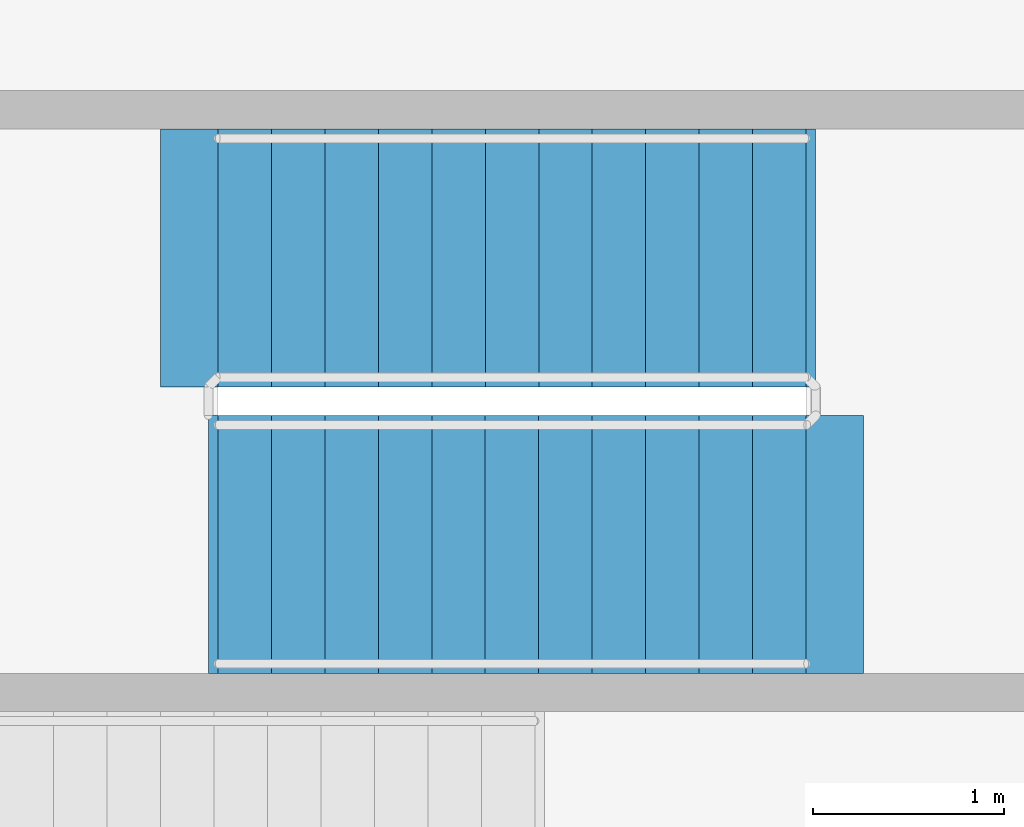
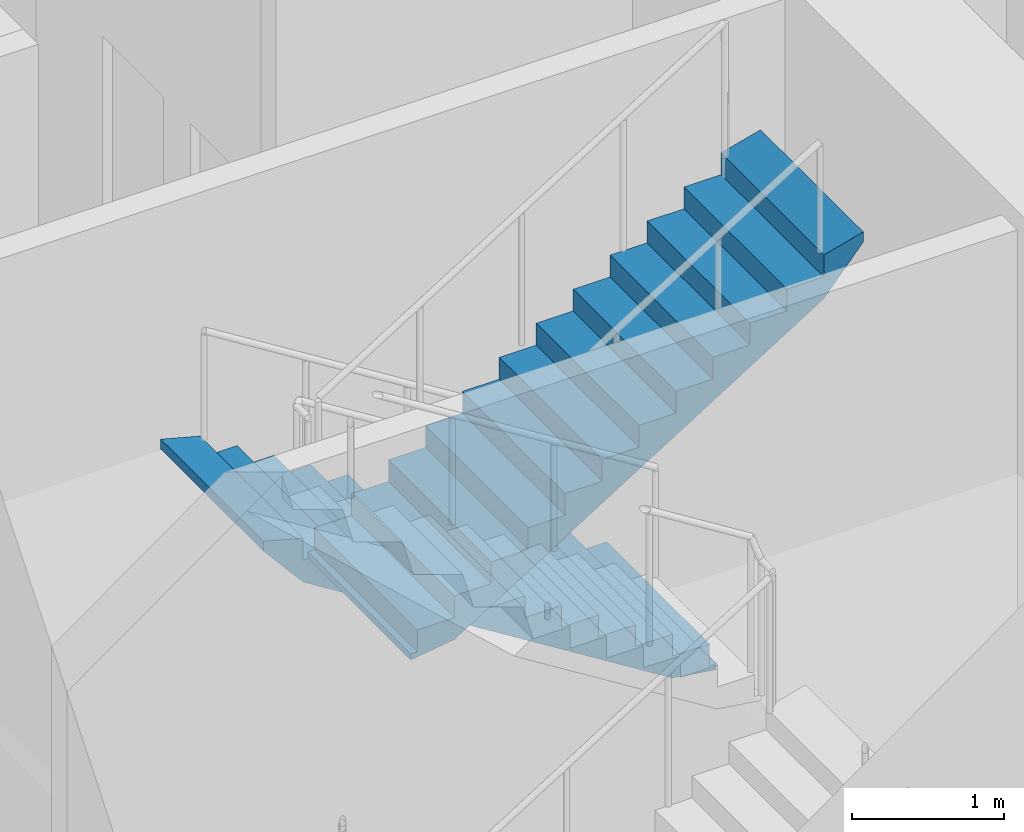
# One storey, part 19 of 23: 2 stair flights, 1 element without a shape of its own.
"""IFC4 building model written with IfcOpenShell, lengths in metres."""

from ifc_helpers import new_model, si_unit, direction, frame, origin, place, context, subcontext, project, spatial, polyline, outline, extrude, material, type_object, element, aggregate, save


model = new_model("IFC4")

# Units and contexts
model_context = context("Model", 3, precision=1e-05, world=origin(), true_north=direction((0.0, 1.0)))
body_context = subcontext(model_context, "Body", "Model", "MODEL_VIEW")
ifc_project = project(units=[si_unit("LENGTHUNIT", "METRE"), si_unit("AREAUNIT", "SQUARE_METRE"), si_unit("VOLUMEUNIT", "CUBIC_METRE"), si_unit("PLANEANGLEUNIT", "RADIAN"), si_unit("MASSUNIT", "GRAM", prefix="KILO")], contexts=[model_context])

# Site, building, storey
site_placement = place(None, origin())
site = spatial("IfcSite", under=ifc_project, at=site_placement, CompositionType="ELEMENT")
building_placement = place(site_placement, origin())
building = spatial("IfcBuilding", under=site, at=building_placement, Name="Zarbagh Exchange Tower", CompositionType="ELEMENT")
storey_placement = place(building_placement, frame((0.0, 0.0, 43.800048828125)))
storey = spatial("IfcBuildingStorey", under=building, at=storey_placement, Name="L09", CompositionType="ELEMENT", Elevation=43.800048828125)

# Stair, stair flights
ifc_material = material(Name="Concrete C40/50", Category="concrete")
stair_type = type_object("IfcStairType", Name="Exit stair two-flight half-turn", PredefinedType="HALF_TURN_STAIR", material=ifc_material)
stair_placement = place(storey_placement, origin())
stair = element("IfcStair", 1, at=stair_placement, inside=storey, type_object=stair_type, Name="exit stair ST1", PredefinedType="HALF_TURN_STAIR")
stair_flight_type = type_object("IfcStairFlightType", Name="Stair flight 1350 mm", PredefinedType="STRAIGHT", material=ifc_material)
stair_flight_1_placement = place(storey_placement, frame((2.25, 17.375, 0.0), z_axis=(0.0, 0.0, 1.0), x_axis=(-1.0, 0.0, 0.0)))
stair_flight_1 = element("IfcStairFlight", 2, at=stair_flight_1_placement, type_object=stair_flight_type, Name="ST1 flight 1", NumberOfRisers=12, NumberOfTreads=11, PredefinedType="STRAIGHT", RiserHeight=0.175, TreadLength=0.28, context=body_context, shape_type="SweptSolid", body=[
    extrude(outline(polyline([(-0.050048828125, -0.050048828125), (-0.050048828125, 0.0), (0.0, 0.0), (0.0, 0.175048828125), (0.280029296875, 0.175048828125), (0.280029296875, 0.35009765625), (0.56005859375, 0.35009765625), (0.56005859375, 0.52490234375), (0.840087890625, 0.52490234375), (0.840087890625, 0.699951171875), (1.1201171875, 0.699951171875), (1.1201171875, 0.875), (1.39990234375, 0.875), (1.39990234375, 1.050048828125), (1.679931640625, 1.050048828125), (1.679931640625, 1.22509765625), (1.9599609375, 1.22509765625), (1.9599609375, 1.39990234375), (2.239990234375, 1.39990234375), (2.239990234375, 1.574951171875), (2.52001953125, 1.574951171875), (2.52001953125, 1.75), (2.800048828125, 1.75), (2.800048828125, 1.925048828125), (3.080078125, 1.925048828125), (3.080078125, 2.10009765625), (3.3798828125, 2.179931640625), (3.3798828125, 2.10009765625), (3.080078125, 1.748291015625), (0.28271484375, 0.0), (-0.050048828125, -0.050048828125)])), frame((0.0, 0.675048828125, 0.0), z_axis=(0.0, -1.0, 0.0), x_axis=(1.0, 0.0, 0.0)), (0.0, 0.0, 1.0), 1.35009765625),
])
stair_flight_2_placement = place(storey_placement, frame((-0.830078125, 15.875, 2.099853515625), z_axis=(0.0, 0.0, 1.0), x_axis=(1.0, 0.0, 0.0)))
stair_flight_2 = element("IfcStairFlight", 3, at=stair_flight_2_placement, type_object=stair_flight_type, Name="ST1 flight 2", NumberOfRisers=12, NumberOfTreads=11, PredefinedType="STRAIGHT", RiserHeight=0.175, TreadLength=0.28, context=body_context, shape_type="SweptSolid", body=[
    extrude(outline(polyline([(-0.050048828125, -0.050048828125), (-0.050048828125, 0.0), (0.0, 0.0), (0.0, 0.175048828125), (0.280029296875, 0.175048828125), (0.280029296875, 0.35009765625), (0.56005859375, 0.35009765625), (0.56005859375, 0.52490234375), (0.840087890625, 0.52490234375), (0.840087890625, 0.699951171875), (1.1201171875, 0.699951171875), (1.1201171875, 0.875), (1.39990234375, 0.875), (1.39990234375, 1.050048828125), (1.679931640625, 1.050048828125), (1.679931640625, 1.22509765625), (1.9599609375, 1.22509765625), (1.9599609375, 1.39990234375), (2.239990234375, 1.39990234375), (2.239990234375, 1.574951171875), (2.52001953125, 1.574951171875), (2.52001953125, 1.75), (2.800048828125, 1.75), (2.800048828125, 1.925048828125), (3.080078125, 1.925048828125), (3.080078125, 2.10009765625), (3.3798828125, 2.179931640625), (3.3798828125, 2.10009765625), (3.080078125, 1.748291015625), (0.28271484375, 0.0), (-0.050048828125, -0.050048828125)])), frame((0.0, 0.675048828125, 0.0), z_axis=(0.0, -1.0, 0.0), x_axis=(1.0, 0.0, 0.0)), (0.0, 0.0, 1.0), 1.35009765625),
])
aggregate(stair, [stair_flight_1, stair_flight_2])

save(model, "model.ifc")
